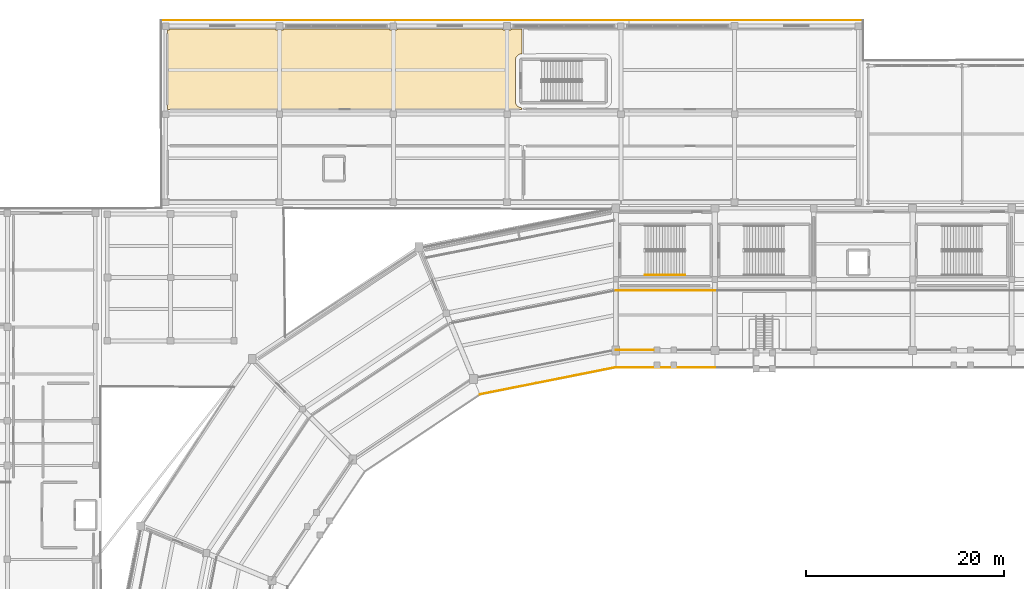
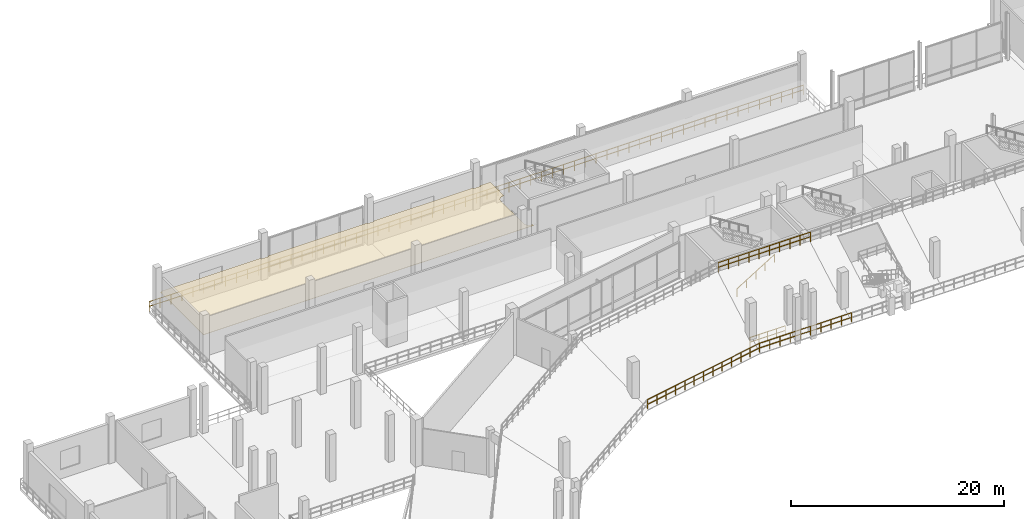
# One storey, part 121 of 127: 6 railings, 1 covering.
"""IFC4 building model written with IfcOpenShell, lengths in metres."""

from ifc_helpers import new_model, si_unit, direction, frame, origin, origin_2d, place, context, subcontext, project, spatial, polyline, circle, outline, extrude, material, layer, layer_set, type_object, element, save


model = new_model("IFC4")

# Units and contexts
model_context = context("Model", 3, precision=1e-05, world=origin(), true_north=direction((0.0, 1.0)))
body_context = subcontext(model_context, "Body", "Model", "MODEL_VIEW")
ifc_project = project(units=[si_unit("LENGTHUNIT", "METRE"), si_unit("AREAUNIT", "SQUARE_METRE"), si_unit("VOLUMEUNIT", "CUBIC_METRE"), si_unit("PLANEANGLEUNIT", "RADIAN"), si_unit("MASSUNIT", "GRAM", prefix="KILO")], contexts=[model_context])

# Site, building, storey
site_placement = place(None, origin())
site = spatial("IfcSite", under=ifc_project, at=site_placement, CompositionType="ELEMENT")
building_placement = place(site_placement, origin())
building = spatial("IfcBuilding", under=site, at=building_placement, Name="Candeia Ridge Stadium", CompositionType="ELEMENT")
storey_placement = place(building_placement, frame((0.0, 0.0, 10.800048828125)))
storey = spatial("IfcBuildingStorey", under=building, at=storey_placement, Name="L02", CompositionType="ELEMENT", Elevation=10.800048828125)

# Covering
ifc_material_1 = material(Name="Western Red Cedar Acoustic Slat", Category="wood")
ifc_layer_1 = layer(ifc_material_1, 0.044921875, Name="Western Red Cedar Acoustic Slat", Category="wood")
ifc_layer_set_1 = layer_set([ifc_layer_1], Name="Western Red Cedar Acoustic Slat")
covering_type = type_object("IfcCoveringType", Name="Slatted Cedar Acoustic Ceiling 45", PredefinedType="CEILING", material=ifc_layer_set_1)
covering_placement = place(storey_placement, frame((0.0, 0.0, 2.510009765625)))
element("IfcCovering", 1, at=covering_placement, inside=storey, type_object=covering_type, Name="Acoustic ceiling North Club Supporters Lounge", PredefinedType="CEILING", context=body_context, shape_type="SweptSolid", body=[
    extrude(outline(polyline([(61.529296875, 156.994140625), (61.52880859375, 156.9912109375), (61.527587890625, 156.988525390625), (61.526611328125, 156.98583984375), (61.52490234375, 156.9833984375), (61.523193359375, 156.98095703125), (61.521240234375, 156.978759765625), (61.51904296875, 156.976806640625), (61.5166015625, 156.97509765625), (61.51416015625, 156.973388671875), (61.511474609375, 156.972412109375), (61.5087890625, 156.97119140625), (61.505859375, 156.970703125), (61.5029296875, 156.97021484375), (61.5, 156.969970703125), (25.699951171875, 156.969970703125), (25.697021484375, 156.97021484375), (25.694091796875, 156.970703125), (25.69140625, 156.97119140625), (25.6884765625, 156.972412109375), (25.685791015625, 156.973388671875), (25.683349609375, 156.97509765625), (25.680908203125, 156.976806640625), (25.6787109375, 156.978759765625), (25.6767578125, 156.98095703125), (25.675048828125, 156.9833984375), (25.673583984375, 156.98583984375), (25.67236328125, 156.988525390625), (25.67138671875, 156.9912109375), (25.670654296875, 156.994140625), (25.670166015625, 156.9970703125), (25.669921875, 157.0), (25.669921875, 165.034912109375), (25.864990234375, 165.034912109375), (25.864990234375, 165.1298828125), (36.610107421875, 165.1298828125), (36.610107421875, 165.010009765625), (37.389892578125, 165.010009765625), (37.389892578125, 165.1298828125), (48.135009765625, 165.1298828125), (48.135009765625, 165.034912109375), (48.864990234375, 165.034912109375), (48.864990234375, 165.1298828125), (59.610107421875, 165.1298828125), (59.610107421875, 165.010009765625), (60.389892578125, 165.010009765625), (60.389892578125, 165.1298828125), (61.5, 165.1298828125), (61.5029296875, 165.1298828125), (61.505859375, 165.12939453125), (61.5087890625, 165.128662109375), (61.511474609375, 165.127685546875), (61.51416015625, 165.12646484375), (61.5166015625, 165.125), (61.51904296875, 165.123291015625), (61.521240234375, 165.12109375), (61.523193359375, 165.118896484375), (61.52490234375, 165.11669921875), (61.526611328125, 165.114013671875), (61.527587890625, 165.111572265625), (61.52880859375, 165.108642578125), (61.529296875, 165.10595703125), (61.52978515625, 165.102783203125), (61.530029296875, 165.10009765625), (61.530029296875, 162.60009765625), (61.5, 162.60009765625), (61.48291015625, 162.599609375), (61.453369140625, 162.59814453125), (61.419189453125, 162.5947265625), (61.39013671875, 162.59033203125), (61.3564453125, 162.583740234375), (61.327880859375, 162.57666015625), (61.294921875, 162.566650390625), (61.267333984375, 162.556640625), (61.235595703125, 162.543701171875), (61.208984375, 162.531005859375), (61.1787109375, 162.514892578125), (61.1533203125, 162.49951171875), (61.124755859375, 162.480712890625), (61.101318359375, 162.462890625), (61.07470703125, 162.441162109375), (61.052734375, 162.42138671875), (61.028564453125, 162.397216796875), (61.0087890625, 162.37548828125), (60.987060546875, 162.348876953125), (60.969482421875, 162.3251953125), (60.950439453125, 162.296630859375), (60.935302734375, 162.271484375), (60.9189453125, 162.2412109375), (60.906494140625, 162.21435546875), (60.893310546875, 162.1826171875), (60.88330078125, 162.155029296875), (60.873291015625, 162.1220703125), (60.8662109375, 162.093505859375), (60.859619140625, 162.059814453125), (60.855224609375, 162.03076171875), (60.851806640625, 161.99658203125), (60.850341796875, 161.96728515625), (60.85009765625, 161.949951171875), (60.85009765625, 157.800048828125), (60.850341796875, 157.78271484375), (60.851806640625, 157.75341796875), (60.855224609375, 157.71923828125), (60.859619140625, 157.690185546875), (60.8662109375, 157.656494140625), (60.873291015625, 157.6279296875), (60.88330078125, 157.594970703125), (60.893310546875, 157.5673828125), (60.906494140625, 157.53564453125), (60.9189453125, 157.5087890625), (60.935302734375, 157.478515625), (60.950439453125, 157.453369140625), (60.969482421875, 157.4248046875), (60.987060546875, 157.401123046875), (61.0087890625, 157.37451171875), (61.028564453125, 157.352783203125), (61.052734375, 157.32861328125), (61.07470703125, 157.308837890625), (61.101318359375, 157.287109375), (61.124755859375, 157.269287109375), (61.1533203125, 157.25048828125), (61.1787109375, 157.235107421875), (61.208984375, 157.218994140625), (61.235595703125, 157.206298828125), (61.267333984375, 157.193359375), (61.294921875, 157.183349609375), (61.327880859375, 157.17333984375), (61.3564453125, 157.166259765625), (61.39013671875, 157.15966796875), (61.419189453125, 157.1552734375), (61.453369140625, 157.15185546875), (61.48291015625, 157.150390625), (61.5, 157.14990234375), (61.530029296875, 157.14990234375), (61.530029296875, 157.0), (61.52978515625, 156.9970703125), (61.529296875, 156.994140625)])), origin(), (0.0, 0.0, 1.0), 0.0400390625),
])

# Railings
ifc_material_2 = material(Name="Galvanized Powder-Coated Steel", Category="steel")
ifc_layer_2 = layer(ifc_material_2, 0.074951171875, Name="Galvanized Powder-Coated Steel", Category="steel")
ifc_layer_set_2 = layer_set([ifc_layer_2], Name="Galvanized Powder-Coated Steel")
railing_type_1 = type_object("IfcRailingType", Name="Spectator Bowl Front Guardrail 1120", PredefinedType="GUARDRAIL", material=ifc_layer_set_2)
for number, where, name in (
    (2, (81.0, 130.919921875, 0.39990234375), "Stand T2 front safety guardrail bay 07"),
    (3, (81.0, 138.679931640625, 4.949951171875), "Stand T2 rear safety guardrail bay 07"),
):
    element("IfcRailing", number, at=place(storey_placement, frame(where)), inside=storey, type_object=railing_type_1, Name=name, PredefinedType="GUARDRAIL", context=body_context, shape_type="SweptSolid", body=[
        extrude(circle(Radius=0.02392578125, at=origin_2d()), frame((0.0, 0.0, 1.09619140625), z_axis=(-1.0, 0.0, 0.0), x_axis=(0.0, -1.0, 0.0)), (0.0, 0.0, 1.0), 10.0),
        extrude(circle(Radius=0.02392578125, at=origin_2d()), frame((0.0, 0.0, 0.56005859375), z_axis=(-1.0, 0.0, 0.0), x_axis=(0.0, -1.0, 0.0)), (0.0, 0.0, 1.0), 10.0),
        extrude(circle(Radius=0.02099609375, at=origin_2d()), origin(), (0.0, 0.0, 1.0), 1.072021484375),
        extrude(circle(Radius=0.02099609375, at=origin_2d()), frame((-1.111083984375, 0.0, 0.0)), (0.0, 0.0, 1.0), 1.072021484375),
        extrude(circle(Radius=0.02099609375, at=origin_2d()), frame((-2.22216796875, 0.0, 0.0)), (0.0, 0.0, 1.0), 1.072021484375),
        extrude(circle(Radius=0.02099609375, at=origin_2d()), frame((-3.333251953125, 0.0, 0.0)), (0.0, 0.0, 1.0), 1.072021484375),
        extrude(circle(Radius=0.02099609375, at=origin_2d()), frame((-4.4443359375, 0.0, 0.0)), (0.0, 0.0, 1.0), 1.072021484375),
        extrude(circle(Radius=0.02099609375, at=origin_2d()), frame((-5.5556640625, 0.0, 0.0)), (0.0, 0.0, 1.0), 1.072021484375),
        extrude(circle(Radius=0.02099609375, at=origin_2d()), frame((-6.666748046875, 0.0, 0.0)), (0.0, 0.0, 1.0), 1.072021484375),
        extrude(circle(Radius=0.02099609375, at=origin_2d()), frame((-7.77783203125, 0.0, 0.0)), (0.0, 0.0, 1.0), 1.072021484375),
        extrude(circle(Radius=0.02099609375, at=origin_2d()), frame((-8.888916015625, 0.0, 0.0)), (0.0, 0.0, 1.0), 1.072021484375),
        extrude(circle(Radius=0.02099609375, at=origin_2d()), frame((-10.0, 0.0, 0.0)), (0.0, 0.0, 1.0), 1.072021484375),
    ])
railing_1_placement = place(storey_placement, frame((71.0, 130.919921875, 0.39990234375)))
element("IfcRailing", 4, at=railing_1_placement, inside=storey, type_object=railing_type_1, Name="Stand T2 front safety guardrail bay 08", PredefinedType="GUARDRAIL", context=body_context, shape_type="SweptSolid", body=[
    extrude(circle(Radius=0.02392578125, at=origin_2d()), frame((0.0, 0.0, 1.09619140625), z_axis=(-0.980787153323, -0.195080905976, 0.0), x_axis=(0.195080905976, -0.980787153323, 0.0)), (0.0, 0.0, 1.0), 14.015380859375),
    extrude(circle(Radius=0.02392578125, at=origin_2d()), frame((0.0, 0.0, 0.56005859375), z_axis=(-0.980787153323, -0.195080905976, 0.0), x_axis=(0.195080905976, -0.980787153323, 0.0)), (0.0, 0.0, 1.0), 14.015380859375),
    extrude(circle(Radius=0.02099609375, at=origin_2d()), origin(), (0.0, 0.0, 1.0), 1.072021484375),
    extrude(circle(Radius=0.02099609375, at=origin_2d()), frame((-1.1455078125, -0.227783203125, 0.0)), (0.0, 0.0, 1.0), 1.072021484375),
    extrude(circle(Radius=0.02099609375, at=origin_2d()), frame((-2.291015625, -0.45556640625, 0.0)), (0.0, 0.0, 1.0), 1.072021484375),
    extrude(circle(Radius=0.02099609375, at=origin_2d()), frame((-3.4365234375, -0.68359375, 0.0)), (0.0, 0.0, 1.0), 1.072021484375),
    extrude(circle(Radius=0.02099609375, at=origin_2d()), frame((-4.58203125, -0.911376953125, 0.0)), (0.0, 0.0, 1.0), 1.072021484375),
    extrude(circle(Radius=0.02099609375, at=origin_2d()), frame((-5.7275390625, -1.13916015625, 0.0)), (0.0, 0.0, 1.0), 1.072021484375),
    extrude(circle(Radius=0.02099609375, at=origin_2d()), frame((-6.873046875, -1.3671875, 0.0)), (0.0, 0.0, 1.0), 1.072021484375),
    extrude(circle(Radius=0.02099609375, at=origin_2d()), frame((-8.0185546875, -1.594970703125, 0.0)), (0.0, 0.0, 1.0), 1.072021484375),
    extrude(circle(Radius=0.02099609375, at=origin_2d()), frame((-9.1640625, -1.82275390625, 0.0)), (0.0, 0.0, 1.0), 1.072021484375),
    extrude(circle(Radius=0.02099609375, at=origin_2d()), frame((-10.3095703125, -2.050537109375, 0.0)), (0.0, 0.0, 1.0), 1.072021484375),
    extrude(circle(Radius=0.02099609375, at=origin_2d()), frame((-11.455078125, -2.2783203125, 0.0)), (0.0, 0.0, 1.0), 1.072021484375),
    extrude(circle(Radius=0.02099609375, at=origin_2d()), frame((-12.6005859375, -2.50634765625, 0.0)), (0.0, 0.0, 1.0), 1.072021484375),
    extrude(circle(Radius=0.02099609375, at=origin_2d()), frame((-13.74609375, -2.734130859375, 0.0)), (0.0, 0.0, 1.0), 1.072021484375),
])
railing_2_placement = place(storey_placement, frame((25.0, 166.0, 0.0)))
element("IfcRailing", 5, at=railing_2_placement, inside=storey, type_object=railing_type_1, Name="Deck edge safety guardrail GR-DE-L02-0056", PredefinedType="GUARDRAIL", context=body_context, shape_type="SweptSolid", body=[
    extrude(circle(Radius=0.02392578125, at=origin_2d()), frame((0.0, 0.0, 1.09619140625), z_axis=(1.0, 0.0, 0.0), x_axis=(0.0, 1.0, 0.0)), (0.0, 0.0, 1.0), 71.0),
    extrude(circle(Radius=0.02392578125, at=origin_2d()), frame((0.0, 0.0, 0.56005859375), z_axis=(1.0, 0.0, 0.0), x_axis=(0.0, 1.0, 0.0)), (0.0, 0.0, 1.0), 71.0),
    extrude(circle(Radius=0.02099609375, at=origin_2d()), origin(), (0.0, 0.0, 1.0), 1.072021484375),
    extrude(circle(Radius=0.02099609375, at=origin_2d()), frame((1.183349609375, 0.0, 0.0)), (0.0, 0.0, 1.0), 1.072021484375),
    extrude(circle(Radius=0.02099609375, at=origin_2d()), frame((2.36669921875, 0.0, 0.0)), (0.0, 0.0, 1.0), 1.072021484375),
    extrude(circle(Radius=0.02099609375, at=origin_2d()), frame((3.550048828125, 0.0, 0.0)), (0.0, 0.0, 1.0), 1.072021484375),
    extrude(circle(Radius=0.02099609375, at=origin_2d()), frame((4.7333984375, 0.0, 0.0)), (0.0, 0.0, 1.0), 1.072021484375),
    extrude(circle(Radius=0.02099609375, at=origin_2d()), frame((5.916748046875, 0.0, 0.0)), (0.0, 0.0, 1.0), 1.072021484375),
    extrude(circle(Radius=0.02099609375, at=origin_2d()), frame((7.10009765625, 0.0, 0.0)), (0.0, 0.0, 1.0), 1.072021484375),
    extrude(circle(Radius=0.02099609375, at=origin_2d()), frame((8.283447265625, 0.0, 0.0)), (0.0, 0.0, 1.0), 1.072021484375),
    extrude(circle(Radius=0.02099609375, at=origin_2d()), frame((9.466552734375, 0.0, 0.0)), (0.0, 0.0, 1.0), 1.072021484375),
    extrude(circle(Radius=0.02099609375, at=origin_2d()), frame((10.64990234375, 0.0, 0.0)), (0.0, 0.0, 1.0), 1.072021484375),
    extrude(circle(Radius=0.02099609375, at=origin_2d()), frame((11.833251953125, 0.0, 0.0)), (0.0, 0.0, 1.0), 1.072021484375),
    extrude(circle(Radius=0.02099609375, at=origin_2d()), frame((13.0166015625, 0.0, 0.0)), (0.0, 0.0, 1.0), 1.072021484375),
    extrude(circle(Radius=0.02099609375, at=origin_2d()), frame((14.199951171875, 0.0, 0.0)), (0.0, 0.0, 1.0), 1.072021484375),
    extrude(circle(Radius=0.02099609375, at=origin_2d()), frame((15.38330078125, 0.0, 0.0)), (0.0, 0.0, 1.0), 1.072021484375),
    extrude(circle(Radius=0.02099609375, at=origin_2d()), frame((16.566650390625, 0.0, 0.0)), (0.0, 0.0, 1.0), 1.072021484375),
    extrude(circle(Radius=0.02099609375, at=origin_2d()), frame((17.75, 0.0, 0.0)), (0.0, 0.0, 1.0), 1.072021484375),
    extrude(circle(Radius=0.02099609375, at=origin_2d()), frame((18.933349609375, 0.0, 0.0)), (0.0, 0.0, 1.0), 1.072021484375),
    extrude(circle(Radius=0.02099609375, at=origin_2d()), frame((20.11669921875, 0.0, 0.0)), (0.0, 0.0, 1.0), 1.072021484375),
    extrude(circle(Radius=0.02099609375, at=origin_2d()), frame((21.300048828125, 0.0, 0.0)), (0.0, 0.0, 1.0), 1.072021484375),
    extrude(circle(Radius=0.02099609375, at=origin_2d()), frame((22.4833984375, 0.0, 0.0)), (0.0, 0.0, 1.0), 1.072021484375),
    extrude(circle(Radius=0.02099609375, at=origin_2d()), frame((23.666748046875, 0.0, 0.0)), (0.0, 0.0, 1.0), 1.072021484375),
    extrude(circle(Radius=0.02099609375, at=origin_2d()), frame((24.85009765625, 0.0, 0.0)), (0.0, 0.0, 1.0), 1.072021484375),
    extrude(circle(Radius=0.02099609375, at=origin_2d()), frame((26.033447265625, 0.0, 0.0)), (0.0, 0.0, 1.0), 1.072021484375),
    extrude(circle(Radius=0.02099609375, at=origin_2d()), frame((27.216552734375, 0.0, 0.0)), (0.0, 0.0, 1.0), 1.072021484375),
    extrude(circle(Radius=0.02099609375, at=origin_2d()), frame((28.39990234375, 0.0, 0.0)), (0.0, 0.0, 1.0), 1.072021484375),
    extrude(circle(Radius=0.02099609375, at=origin_2d()), frame((29.583251953125, 0.0, 0.0)), (0.0, 0.0, 1.0), 1.072021484375),
    extrude(circle(Radius=0.02099609375, at=origin_2d()), frame((30.7666015625, 0.0, 0.0)), (0.0, 0.0, 1.0), 1.072021484375),
    extrude(circle(Radius=0.02099609375, at=origin_2d()), frame((31.949951171875, 0.0, 0.0)), (0.0, 0.0, 1.0), 1.072021484375),
    extrude(circle(Radius=0.02099609375, at=origin_2d()), frame((33.13330078125, 0.0, 0.0)), (0.0, 0.0, 1.0), 1.072021484375),
    extrude(circle(Radius=0.02099609375, at=origin_2d()), frame((34.316650390625, 0.0, 0.0)), (0.0, 0.0, 1.0), 1.072021484375),
    extrude(circle(Radius=0.02099609375, at=origin_2d()), frame((35.5, 0.0, 0.0)), (0.0, 0.0, 1.0), 1.072021484375),
    extrude(circle(Radius=0.02099609375, at=origin_2d()), frame((36.683349609375, 0.0, 0.0)), (0.0, 0.0, 1.0), 1.072021484375),
    extrude(circle(Radius=0.02099609375, at=origin_2d()), frame((37.86669921875, 0.0, 0.0)), (0.0, 0.0, 1.0), 1.072021484375),
    extrude(circle(Radius=0.02099609375, at=origin_2d()), frame((39.050048828125, 0.0, 0.0)), (0.0, 0.0, 1.0), 1.072021484375),
    extrude(circle(Radius=0.02099609375, at=origin_2d()), frame((40.2333984375, 0.0, 0.0)), (0.0, 0.0, 1.0), 1.072021484375),
    extrude(circle(Radius=0.02099609375, at=origin_2d()), frame((41.416748046875, 0.0, 0.0)), (0.0, 0.0, 1.0), 1.072021484375),
    extrude(circle(Radius=0.02099609375, at=origin_2d()), frame((42.60009765625, 0.0, 0.0)), (0.0, 0.0, 1.0), 1.072021484375),
    extrude(circle(Radius=0.02099609375, at=origin_2d()), frame((43.783447265625, 0.0, 0.0)), (0.0, 0.0, 1.0), 1.072021484375),
    extrude(circle(Radius=0.02099609375, at=origin_2d()), frame((44.966552734375, 0.0, 0.0)), (0.0, 0.0, 1.0), 1.072021484375),
    extrude(circle(Radius=0.02099609375, at=origin_2d()), frame((46.14990234375, 0.0, 0.0)), (0.0, 0.0, 1.0), 1.072021484375),
    extrude(circle(Radius=0.02099609375, at=origin_2d()), frame((47.333251953125, 0.0, 0.0)), (0.0, 0.0, 1.0), 1.072021484375),
    extrude(circle(Radius=0.02099609375, at=origin_2d()), frame((48.5166015625, 0.0, 0.0)), (0.0, 0.0, 1.0), 1.072021484375),
    extrude(circle(Radius=0.02099609375, at=origin_2d()), frame((49.699951171875, 0.0, 0.0)), (0.0, 0.0, 1.0), 1.072021484375),
    extrude(circle(Radius=0.02099609375, at=origin_2d()), frame((50.88330078125, 0.0, 0.0)), (0.0, 0.0, 1.0), 1.072021484375),
    extrude(circle(Radius=0.02099609375, at=origin_2d()), frame((52.066650390625, 0.0, 0.0)), (0.0, 0.0, 1.0), 1.072021484375),
    extrude(circle(Radius=0.02099609375, at=origin_2d()), frame((53.25, 0.0, 0.0)), (0.0, 0.0, 1.0), 1.072021484375),
    extrude(circle(Radius=0.02099609375, at=origin_2d()), frame((54.433349609375, 0.0, 0.0)), (0.0, 0.0, 1.0), 1.072021484375),
    extrude(circle(Radius=0.02099609375, at=origin_2d()), frame((55.61669921875, 0.0, 0.0)), (0.0, 0.0, 1.0), 1.072021484375),
    extrude(circle(Radius=0.02099609375, at=origin_2d()), frame((56.800048828125, 0.0, 0.0)), (0.0, 0.0, 1.0), 1.072021484375),
    extrude(circle(Radius=0.02099609375, at=origin_2d()), frame((57.9833984375, 0.0, 0.0)), (0.0, 0.0, 1.0), 1.072021484375),
    extrude(circle(Radius=0.02099609375, at=origin_2d()), frame((59.166748046875, 0.0, 0.0)), (0.0, 0.0, 1.0), 1.072021484375),
    extrude(circle(Radius=0.02099609375, at=origin_2d()), frame((60.35009765625, 0.0, 0.0)), (0.0, 0.0, 1.0), 1.072021484375),
    extrude(circle(Radius=0.02099609375, at=origin_2d()), frame((61.533447265625, 0.0, 0.0)), (0.0, 0.0, 1.0), 1.072021484375),
    extrude(circle(Radius=0.02099609375, at=origin_2d()), frame((62.716552734375, 0.0, 0.0)), (0.0, 0.0, 1.0), 1.072021484375),
    extrude(circle(Radius=0.02099609375, at=origin_2d()), frame((63.89990234375, 0.0, 0.0)), (0.0, 0.0, 1.0), 1.072021484375),
    extrude(circle(Radius=0.02099609375, at=origin_2d()), frame((65.083251953125, 0.0, 0.0)), (0.0, 0.0, 1.0), 1.072021484375),
    extrude(circle(Radius=0.02099609375, at=origin_2d()), frame((66.2666015625, 0.0, 0.0)), (0.0, 0.0, 1.0), 1.072021484375),
    extrude(circle(Radius=0.02099609375, at=origin_2d()), frame((67.449951171875, 0.0, 0.0)), (0.0, 0.0, 1.0), 1.072021484375),
    extrude(circle(Radius=0.02099609375, at=origin_2d()), frame((68.63330078125, 0.0, 0.0)), (0.0, 0.0, 1.0), 1.072021484375),
    extrude(circle(Radius=0.02099609375, at=origin_2d()), frame((69.816650390625, 0.0, 0.0)), (0.0, 0.0, 1.0), 1.072021484375),
    extrude(circle(Radius=0.02099609375, at=origin_2d()), frame((71.0, 0.0, 0.0)), (0.0, 0.0, 1.0), 1.072021484375),
])
railing_3_placement = place(storey_placement, frame((74.81005859375, 132.679931640625, 0.0)))
element("IfcRailing", 6, at=railing_3_placement, inside=storey, type_object=railing_type_1, Name="Deck edge safety guardrail GR-DE-L02-0105", PredefinedType="GUARDRAIL", context=body_context, shape_type="SweptSolid", body=[
    extrude(circle(Radius=0.02392578125, at=origin_2d()), frame((0.0, 0.0, 1.09619140625), z_axis=(-0.999999926695, -0.000382897228, 0.0), x_axis=(0.000382897228, -0.999999926695, 0.0)), (0.0, 0.0, 1.0), 3.82568359375),
    extrude(circle(Radius=0.02392578125, at=origin_2d()), frame((0.0, 0.0, 0.56005859375), z_axis=(-0.999999926695, -0.000382897228, 0.0), x_axis=(0.000382897228, -0.999999926695, 0.0)), (0.0, 0.0, 1.0), 3.82568359375),
    extrude(circle(Radius=0.02099609375, at=origin_2d()), origin(), (0.0, 0.0, 1.0), 1.072021484375),
    extrude(circle(Radius=0.02099609375, at=origin_2d()), frame((-0.95654296875, -0.00048828125, 0.0)), (0.0, 0.0, 1.0), 1.072021484375),
    extrude(circle(Radius=0.02099609375, at=origin_2d()), frame((-1.912841796875, -0.000732421875, 0.0)), (0.0, 0.0, 1.0), 1.072021484375),
    extrude(circle(Radius=0.02099609375, at=origin_2d()), frame((-2.869140625, -0.0009765625, 0.0)), (0.0, 0.0, 1.0), 1.072021484375),
    extrude(circle(Radius=0.02099609375, at=origin_2d()), frame((-3.82568359375, -0.00146484375, 0.0)), (0.0, 0.0, 1.0), 1.072021484375),
])
ifc_material_3 = material(Name="Brushed Stainless Steel", Category="steel")
ifc_layer_3 = layer(ifc_material_3, 0.048095703125, Name="Brushed Stainless Steel", Category="steel")
ifc_layer_set_3 = layer_set([ifc_layer_3], Name="Brushed Stainless Steel")
railing_type_2 = type_object("IfcRailingType", Name="Stair Wall & Flight Handrail 900", PredefinedType="HANDRAIL", material=ifc_layer_set_3)
railing_4_placement = place(storey_placement, frame((73.949951171875, 140.25, 0.179931640625)))
element("IfcRailing", 7, at=railing_4_placement, inside=storey, type_object=railing_type_2, Name="L02 ST01 stair handrail 1", PredefinedType="HANDRAIL", context=body_context, shape_type="SweptSolid", body=[
    extrude(circle(Radius=0.02392578125, at=origin_2d()), frame((0.0, 0.0, 0.8759765625), z_axis=(0.849641744969, 0.0, 0.527360318194), x_axis=(0.0, 1.0, 0.0)), (0.0, 0.0, 1.0), 4.778564453125),
    extrude(circle(Radius=0.02099609375, at=origin_2d()), origin(), (0.0, 0.0, 1.0), 0.851806640625),
    extrude(circle(Radius=0.02099609375, at=origin_2d()), frame((1.01513671875, 0.0, 0.6298828125)), (0.0, 0.0, 1.0), 0.851806640625),
    extrude(circle(Radius=0.02099609375, at=origin_2d()), frame((2.030029296875, 0.0, 1.260009765625)), (0.0, 0.0, 1.0), 0.851806640625),
    extrude(circle(Radius=0.02099609375, at=origin_2d()), frame((3.044921875, 0.0, 1.89013671875)), (0.0, 0.0, 1.0), 0.851806640625),
    extrude(circle(Radius=0.02099609375, at=origin_2d()), frame((4.06005859375, 0.0, 2.52001953125)), (0.0, 0.0, 1.0), 0.851806640625),
])

save(model, "model.ifc")
